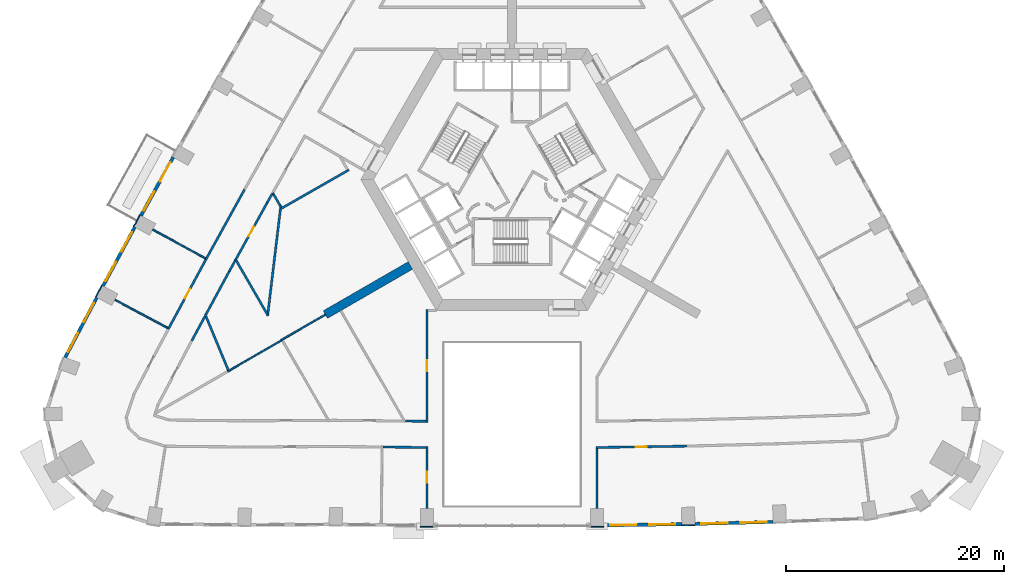
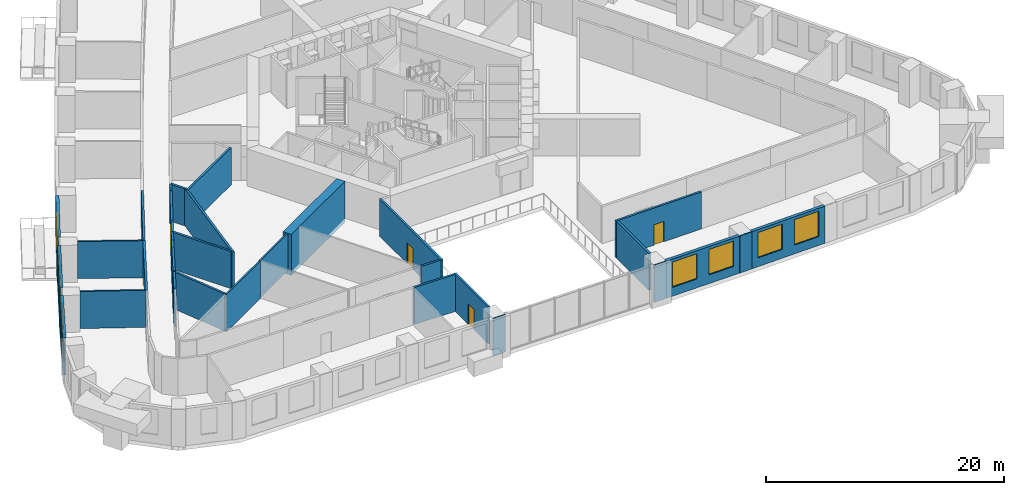
# One storey, part 5 of 16: 33 walls, 9 windows, 6 doors, 15 openings.
"""IFC4 building model written with IfcOpenShell, lengths in metres."""

from ifc_helpers import new_model, si_unit, direction, frame, frame_2d, origin, place, context, subcontext, project, spatial, rectangle, extrude, material, layer, layer_set, type_object, element, fill, save


model = new_model("IFC4")

# Units and contexts
model_context = context("Model", 3, precision=1e-05, world=origin(), true_north=direction((0.0, 1.0)))
body_context = subcontext(model_context, "Body", "Model", "MODEL_VIEW")
ifc_project = project(units=[si_unit("LENGTHUNIT", "METRE"), si_unit("AREAUNIT", "SQUARE_METRE"), si_unit("VOLUMEUNIT", "CUBIC_METRE"), si_unit("PLANEANGLEUNIT", "RADIAN"), si_unit("MASSUNIT", "GRAM", prefix="KILO")], contexts=[model_context])

# Site, building, storey
site_placement = place(None, origin())
site = spatial("IfcSite", under=ifc_project, at=site_placement, CompositionType="ELEMENT")
building_placement = place(site_placement, origin())
building = spatial("IfcBuilding", under=site, at=building_placement, Name="Entoto Arch Interchange Tower", CompositionType="ELEMENT")
storey_placement = place(building_placement, frame((0.0, 0.0, 68.60009765625)))
storey = spatial("IfcBuildingStorey", under=building, at=storey_placement, Name="L14", CompositionType="ELEMENT", Elevation=68.60009765625)

# Walls
ifc_material_1 = material(Name="Concrete C60/75", Category="concrete")
ifc_layer_1 = layer(ifc_material_1, 0.800048828125)
ifc_layer_set_1 = layer_set([ifc_layer_1], Name="Concrete C60/75")
wall_type_1 = type_object("IfcWallType", Name="Buttress wall 800 C60/75", PredefinedType="SHEAR", material=ifc_layer_set_1)
wall_1_placement = place(storey_placement, frame((-9.31005859375, -5.375, -0.400146484375), z_axis=(0.0, 0.0, 1.0), x_axis=(-0.866017533419, -0.500013631625, 0.0)))
element("IfcWall", 1, at=wall_1_placement, inside=storey, type_object=wall_type_1, Name="Buttress wall SW L14", PredefinedType="SHEAR", context=body_context, shape_type="SweptSolid", body=[
    extrude(rectangle(XDim=8.999755859375, YDim=0.800048828125, at=frame_2d((4.5, 0.0))), origin(), (0.0, 0.0, 1.0), 4.199951171875),
])
ifc_material_2 = material(Name="Gypsum board partition on steel studs", Category="steel")
ifc_layer_2 = layer(ifc_material_2, 0.14990234375)
ifc_layer_set_2 = layer_set([ifc_layer_2], Name="Gypsum board partition on steel studs")
wall_type_2 = type_object("IfcWallType", Name="PARTITION 150", PredefinedType="PARTITIONING", material=ifc_layer_set_2)
wall_2_placement = place(storey_placement, frame((-17.10302734375, -9.8779296875, 0.0), z_axis=(0.0, 0.0, 1.0), x_axis=(-0.866013358989, -0.500020861617, 0.0)))
element("IfcWall", 2, at=wall_2_placement, inside=storey, type_object=wall_type_2, Name="wall:L14:p129", PredefinedType="PARTITIONING", context=body_context, shape_type="SweptSolid", body=[
    extrude(rectangle(XDim=4.674072265625, YDim=0.14990234375, at=frame_2d((2.3369140625, 0.0))), origin(), (0.0, 0.0, 1.0), 3.7998046875),
])
wall_3_placement = place(storey_placement, frame((-21.135009765625, -12.242919921875, 0.0), z_axis=(0.0, 0.0, 1.0), x_axis=(-0.866083439347, -0.499899465982, 0.0)))
element("IfcWall", 3, at=wall_3_placement, inside=storey, type_object=wall_type_2, Name="wall:L14:p131", PredefinedType="PARTITIONING", context=body_context, shape_type="SweptSolid", body=[
    extrude(rectangle(XDim=5.691162109375, YDim=0.14990234375, at=frame_2d((2.845703125, 0.0))), origin(), (0.0, 0.0, 1.0), 3.7998046875),
])
wall_4_placement = place(storey_placement, frame((-28.111083984375, -4.717041015625, 0.0), z_axis=(0.0, 0.0, 1.0), x_axis=(-0.877558297547, 0.479469951515, 0.0)))
element("IfcWall", 4, at=wall_4_placement, inside=storey, type_object=wall_type_2, Name="wall:L14:p147", PredefinedType="PARTITIONING", context=body_context, shape_type="SweptSolid", body=[
    extrude(rectangle(XDim=5.48095703125, YDim=0.14990234375, at=frame_2d((2.740478515625, 0.0))), origin(), (0.0, 0.0, 1.0), 3.7998046875),
])
wall_5_placement = place(storey_placement, frame((-31.56103515625, -11.10302734375, 0.0), z_axis=(0.0, 0.0, 1.0), x_axis=(-0.882056805494, 0.47114306944, 0.0)))
element("IfcWall", 5, at=wall_5_placement, inside=storey, type_object=wall_type_2, Name="wall:L14:p148", PredefinedType="PARTITIONING", context=body_context, shape_type="SweptSolid", body=[
    extrude(rectangle(XDim=5.48046875, YDim=0.14990234375, at=frame_2d((2.740234375, 0.0))), origin(), (0.0, 0.0, 1.0), 3.7998046875),
])
ifc_layer_3 = layer(ifc_material_2, 0.199951171875)
ifc_layer_set_3 = layer_set([ifc_layer_3], Name="Gypsum board partition on steel studs")
wall_type_3 = type_object("IfcWallType", Name="PARTITION 200", PredefinedType="PARTITIONING", material=ifc_layer_set_3)
wall_6_placement = place(storey_placement, frame((-25.37109375, -4.927001953125, 0.0), z_axis=(0.0, 0.0, 1.0), x_axis=(-0.483899488004, -0.875123582993, 0.0)))
element("IfcWall", 6, at=wall_6_placement, inside=storey, type_object=wall_type_3, Name="wall:L14:p030", PredefinedType="PARTITIONING", context=body_context, shape_type="SweptSolid", body=[
    extrude(rectangle(XDim=1.130126953125, YDim=0.199951171875, at=frame_2d((0.56494140625, 0.0))), origin(), (0.0, 0.0, 1.0), 3.7998046875),
])
wall_7_placement = place(storey_placement, frame((-25.91796875, -5.916015625, 0.0), z_axis=(0.0, 0.0, 1.0), x_axis=(-0.4752384902, -0.879857021016, 0.0)))
element("IfcWall", 7, at=wall_7_placement, inside=storey, type_object=wall_type_3, Name="wall:L14:p031", PredefinedType="PARTITIONING", context=body_context, shape_type="SweptSolid", body=[
    extrude(rectangle(XDim=4.473388671875, YDim=0.199951171875, at=frame_2d((2.23681640625, 0.0))), origin(), (0.0, 0.0, 1.0), 3.7998046875),
])
wall_8_placement = place(storey_placement, frame((-9.77587890625, -19.637939453125, 0.0), z_axis=(0.0, 0.0, 1.0), x_axis=(0.999937374473, -0.011191386544, 0.0)))
element("IfcWall", 8, at=wall_8_placement, inside=storey, type_object=wall_type_3, Name="wall:L14:p032", PredefinedType="PARTITIONING", context=body_context, shape_type="SweptSolid", body=[
    extrude(rectangle(XDim=1.8759765625, YDim=0.199951171875, at=frame_2d((0.93798828125, 0.0))), origin(), (0.0, 0.0, 1.0), 3.7998046875),
])
wall_9_placement = place(storey_placement, frame((-21.97900390625, 1.196044921875, 0.0), z_axis=(0.0, 0.0, 1.0), x_axis=(-0.491617674369, -0.870811151886, 0.0)))
element("IfcWall", 9, at=wall_9_placement, inside=storey, type_object=wall_type_3, Name="wall:L14:p033", PredefinedType="PARTITIONING", context=body_context, shape_type="SweptSolid", body=[
    extrude(rectangle(XDim=0.89697265625, YDim=0.199951171875, at=frame_2d((0.448486328125, 0.0))), origin(), (0.0, 0.0, 1.0), 3.7998046875),
])

# Wall, opening, door
wall_10_placement = place(storey_placement, frame((-22.419921875, 0.4150390625, 0.0), z_axis=(0.0, 0.0, 1.0), x_axis=(-0.483559496818, -0.875311494861, 0.0)))
wall_10 = element("IfcWall", 10, at=wall_10_placement, inside=storey, type_object=wall_type_3, Name="wall:L14:p034", PredefinedType="PARTITIONING", context=body_context, shape_type="SweptSolid", body=[
    extrude(rectangle(XDim=6.10302734375, YDim=0.199951171875, at=frame_2d((3.051513671875, 0.0))), origin(), (0.0, 0.0, 1.0), 3.7998046875),
])
opening_1_placement = place(wall_10_placement, frame((2.552001953125, 0.0, 0.0)))
opening_1 = element("IfcOpeningElement", 11, at=opening_1_placement, cuts=wall_10, Name="Opening L14-D23", PredefinedType="OPENING", context=body_context, shape_type="SweptSolid", body=[
    extrude(rectangle(XDim=1.0, YDim=2.10009765625, at=frame_2d((0.5, 1.050048828125))), frame((0.0, 0.10986328125, 0.0), z_axis=(0.0, -1.0, 0.0), x_axis=(1.0, 0.0, 0.0)), (0.0, 0.0, 1.0), 0.219970703125),
])
ifc_material_3 = material(Name="Timber door leaf in Steel S235 frame", Category="steel")
door_type_1 = type_object("IfcDoorType", Name="DOOR DS-10 1000x2100", OperationType="SINGLE_SWING_LEFT", PredefinedType="DOOR", material=ifc_material_3)
door_1_placement = place(opening_1_placement, origin())
door_1 = element("IfcDoor", 12, at=door_1_placement, inside=storey, type_object=door_type_1, Name="door:L14:23", OperationType="SINGLE_SWING_LEFT", OverallHeight=2.10009765625, OverallWidth=1.0, PredefinedType="DOOR", context=body_context, shape_type="SweptSolid", body=[
    extrude(rectangle(XDim=1.0, YDim=2.10009765625, at=frame_2d((0.5, 1.050048828125))), frame((0.0, 0.02490234375, 0.0), z_axis=(0.0, -1.0, 0.0), x_axis=(1.0, 0.0, 0.0)), (0.0, 0.0, 1.0), 0.050048828125),
])
fill(opening_1, door_1)

# Wall
wall_11_placement = place(storey_placement, frame((-28.138916015625, -10.028076171875, 0.0), z_axis=(0.0, 0.0, 1.0), x_axis=(-0.475287687013, -0.879830446491, 0.0)))
element("IfcWall", 13, at=wall_11_placement, inside=storey, type_object=wall_type_3, Name="wall:L14:p037", PredefinedType="PARTITIONING", context=body_context, shape_type="SweptSolid", body=[
    extrude(rectangle(XDim=2.560546875, YDim=0.199951171875, at=frame_2d((1.2802734375, 0.0))), origin(), (0.0, 0.0, 1.0), 3.7998046875),
])

# Wall, opening, door
wall_12_placement = place(storey_placement, frame((16.01806640625, -21.93310546875, 0.0), z_axis=(0.0, 0.0, 1.0), x_axis=(-0.999879942341, -0.015495189738, 0.0)))
wall_12 = element("IfcWall", 14, at=wall_12_placement, inside=storey, type_object=wall_type_3, Name="wall:L14:p045", PredefinedType="PARTITIONING", context=body_context, shape_type="SweptSolid", body=[
    extrude(rectangle(XDim=8.319091796875, YDim=0.199951171875, at=frame_2d((4.15966796875, 0.0))), origin(), (0.0, 0.0, 1.0), 3.7998046875),
])
opening_2_placement = place(wall_12_placement, frame((3.659912109375, 0.0, 0.0)))
opening_2 = element("IfcOpeningElement", 15, at=opening_2_placement, cuts=wall_12, Name="Opening L14-D01", PredefinedType="OPENING", context=body_context, shape_type="SweptSolid", body=[
    extrude(rectangle(XDim=1.0, YDim=2.10009765625, at=frame_2d((0.5, 1.050048828125))), frame((0.0, 0.10986328125, 0.0), z_axis=(0.0, -1.0, 0.0), x_axis=(1.0, 0.0, 0.0)), (0.0, 0.0, 1.0), 0.219970703125),
])
door_2_placement = place(opening_2_placement, origin())
door_2 = element("IfcDoor", 16, at=door_2_placement, inside=storey, type_object=door_type_1, Name="door:L14:01", OperationType="SINGLE_SWING_LEFT", OverallHeight=2.10009765625, OverallWidth=1.0, PredefinedType="DOOR", context=body_context, shape_type="SweptSolid", body=[
    extrude(rectangle(XDim=1.0, YDim=2.10009765625, at=frame_2d((0.5, 1.050048828125))), frame((0.0, 0.02490234375, 0.0), z_axis=(0.0, -1.0, 0.0), x_axis=(1.0, 0.0, 0.0)), (0.0, 0.0, 1.0), 0.050048828125),
])
fill(opening_2, door_2)

# Wall
wall_13_placement = place(storey_placement, frame((-28.06005859375, -4.8310546875, 0.0), z_axis=(0.0, 0.0, 1.0), x_axis=(0.483631054848, 0.875271959328, 0.0)))
element("IfcWall", 17, at=wall_13_placement, inside=storey, type_object=wall_type_3, Name="wall:L14:p071", PredefinedType="PARTITIONING", context=body_context, shape_type="SweptSolid", body=[
    extrude(rectangle(XDim=7.330322265625, YDim=0.199951171875, at=frame_2d((3.6650390625, 0.0))), origin(), (0.0, 0.0, 1.0), 3.7998046875),
])

# Wall, opening, door
wall_14_placement = place(storey_placement, frame((-31.509033203125, -11.216064453125, 0.0), z_axis=(0.0, 0.0, 1.0), x_axis=(0.475367159168, 0.879787510701, 0.0)))
wall_14 = element("IfcWall", 18, at=wall_14_placement, inside=storey, type_object=wall_type_3, Name="wall:L14:p073", PredefinedType="PARTITIONING", context=body_context, shape_type="SweptSolid", body=[
    extrude(rectangle(XDim=7.25732421875, YDim=0.199951171875, at=frame_2d((3.628662109375, 0.0))), origin(), (0.0, 0.0, 1.0), 3.7998046875),
])
opening_3_placement = place(wall_14_placement, frame((3.202880859375, 0.0, 0.0)))
opening_3 = element("IfcOpeningElement", 19, at=opening_3_placement, cuts=wall_14, Name="Opening L14-D15", PredefinedType="OPENING", context=body_context, shape_type="SweptSolid", body=[
    extrude(rectangle(XDim=1.0, YDim=2.10009765625, at=frame_2d((0.5, 1.050048828125))), frame((0.0, 0.10986328125, 0.0), z_axis=(0.0, -1.0, 0.0), x_axis=(1.0, 0.0, 0.0)), (0.0, 0.0, 1.0), 0.219970703125),
])
door_3_placement = place(opening_3_placement, origin())
door_3 = element("IfcDoor", 20, at=door_3_placement, inside=storey, type_object=door_type_1, Name="door:L14:15", OperationType="SINGLE_SWING_RIGHT", OverallHeight=2.10009765625, OverallWidth=1.0, PredefinedType="DOOR", context=body_context, shape_type="SweptSolid", body=[
    extrude(rectangle(XDim=1.0, YDim=2.10009765625, at=frame_2d((0.5, 1.050048828125))), frame((0.0, 0.02490234375, 0.0), z_axis=(0.0, -1.0, 0.0), x_axis=(1.0, 0.0, 0.0)), (0.0, 0.0, 1.0), 0.050048828125),
])
fill(opening_3, door_3)

# Wall
wall_15_placement = place(storey_placement, frame((-7.89990234375, -22.05908203125, 0.0), z_axis=(0.0, 0.0, 1.0), x_axis=(-0.999940210022, 0.010935098606, 0.0)))
element("IfcWall", 21, at=wall_15_placement, inside=storey, type_object=wall_type_3, Name="wall:L14:p082", PredefinedType="PARTITIONING", context=body_context, shape_type="SweptSolid", body=[
    extrude(rectangle(XDim=3.929443359375, YDim=0.199951171875, at=frame_2d((1.96484375, 0.0))), origin(), (0.0, 0.0, 1.0), 3.7998046875),
])

# Wall, opening, door
wall_16_placement = place(storey_placement, frame((-7.800048828125, -19.760009765625, 0.0), z_axis=(0.0, 0.0, 1.0), x_axis=(0.0, 1.0, 0.0)))
wall_16 = element("IfcWall", 22, at=wall_16_placement, inside=storey, type_object=wall_type_3, Name="wall:L14:p117", PredefinedType="PARTITIONING", context=body_context, shape_type="SweptSolid", body=[
    extrude(rectangle(XDim=10.361083984375, YDim=0.199951171875, at=frame_2d((5.1806640625, 0.0))), origin(), (0.0, 0.0, 1.0), 3.7998046875),
])
opening_4_placement = place(wall_16_placement, frame((4.680908203125, 0.0, 0.0)))
opening_4 = element("IfcOpeningElement", 23, at=opening_4_placement, cuts=wall_16, Name="Opening L14-D22", PredefinedType="OPENING", context=body_context, shape_type="SweptSolid", body=[
    extrude(rectangle(XDim=1.0, YDim=2.10009765625, at=frame_2d((0.5, 1.050048828125))), frame((0.0, 0.10986328125, 0.0), z_axis=(0.0, -1.0, 0.0), x_axis=(1.0, 0.0, 0.0)), (0.0, 0.0, 1.0), 0.219970703125),
])
door_4_placement = place(opening_4_placement, origin())
door_4 = element("IfcDoor", 24, at=door_4_placement, inside=storey, type_object=door_type_1, Name="door:L14:22", OperationType="SINGLE_SWING_LEFT", OverallHeight=2.10009765625, OverallWidth=1.0, PredefinedType="DOOR", context=body_context, shape_type="SweptSolid", body=[
    extrude(rectangle(XDim=1.0, YDim=2.10009765625, at=frame_2d((0.5, 1.050048828125))), frame((0.0, 0.02490234375, 0.0), z_axis=(0.0, -1.0, 0.0), x_axis=(1.0, 0.0, 0.0)), (0.0, 0.0, 1.0), 0.050048828125),
])
fill(opening_4, door_4)

# Wall
wall_17_placement = place(storey_placement, frame((7.800048828125, -22.159912109375, 0.0), z_axis=(0.0, 0.0, 1.0), x_axis=(0.0, -1.0, 0.0)))
element("IfcWall", 25, at=wall_17_placement, inside=storey, type_object=wall_type_3, Name="wall:L14:p119", PredefinedType="PARTITIONING", context=body_context, shape_type="SweptSolid", body=[
    extrude(rectangle(XDim=5.481201171875, YDim=0.199951171875, at=frame_2d((2.74072265625, 0.0))), origin(), (0.0, 0.0, 1.0), 3.7998046875),
])

# Wall, opening, door
wall_18_placement = place(storey_placement, frame((-7.800048828125, -27.64111328125, 0.0), z_axis=(0.0, 0.0, 1.0), x_axis=(0.0, 1.0, 0.0)))
wall_18 = element("IfcWall", 26, at=wall_18_placement, inside=storey, type_object=wall_type_3, Name="wall:L14:p120", PredefinedType="PARTITIONING", context=body_context, shape_type="SweptSolid", body=[
    extrude(rectangle(XDim=5.68115234375, YDim=0.199951171875, at=frame_2d((2.840576171875, 0.0))), origin(), (0.0, 0.0, 1.0), 3.7998046875),
])
opening_5_placement = place(wall_18_placement, frame((2.340087890625, 0.0, 0.0)))
opening_5 = element("IfcOpeningElement", 27, at=opening_5_placement, cuts=wall_18, Name="Opening L14-D18", PredefinedType="OPENING", context=body_context, shape_type="SweptSolid", body=[
    extrude(rectangle(XDim=1.0, YDim=2.10009765625, at=frame_2d((0.5, 1.050048828125))), frame((0.0, 0.10986328125, 0.0), z_axis=(0.0, -1.0, 0.0), x_axis=(1.0, 0.0, 0.0)), (0.0, 0.0, 1.0), 0.219970703125),
])
door_5_placement = place(opening_5_placement, origin())
door_5 = element("IfcDoor", 28, at=door_5_placement, inside=storey, type_object=door_type_1, Name="door:L14:18", OperationType="SINGLE_SWING_LEFT", OverallHeight=2.10009765625, OverallWidth=1.0, PredefinedType="DOOR", context=body_context, shape_type="SweptSolid", body=[
    extrude(rectangle(XDim=1.0, YDim=2.10009765625, at=frame_2d((0.5, 1.050048828125))), frame((0.0, 0.02490234375, 0.0), z_axis=(0.0, -1.0, 0.0), x_axis=(1.0, 0.0, 0.0)), (0.0, 0.0, 1.0), 0.050048828125),
])
fill(opening_5, door_5)

# Walls
wall_19_placement = place(storey_placement, frame((-14.946044921875, 3.386962890625, 0.0), z_axis=(0.0, 0.0, 1.0), x_axis=(-0.868556003823, -0.4955910292, 0.0)))
element("IfcWall", 29, at=wall_19_placement, inside=storey, type_object=wall_type_3, Name="wall:L14:p124", PredefinedType="PARTITIONING", context=body_context, shape_type="SweptSolid", body=[
    extrude(rectangle(XDim=7.19921875, YDim=0.199951171875, at=frame_2d((3.599609375, 0.0))), origin(), (0.0, 0.0, 1.0), 3.7998046875),
])
wall_20_placement = place(storey_placement, frame((-21.2490234375, 0.10498046875, 0.0), z_axis=(0.0, 0.0, 1.0), x_axis=(-0.500442009317, 0.865770059144, 0.0)))
element("IfcWall", 30, at=wall_20_placement, inside=storey, type_object=wall_type_3, Name="wall:L14:p125", PredefinedType="PARTITIONING", context=body_context, shape_type="SweptSolid", body=[
    extrude(rectangle(XDim=1.360595703125, YDim=0.199951171875, at=frame_2d((0.68017578125, 0.0))), origin(), (0.0, 0.0, 1.0), 3.7998046875),
])
wall_21_placement = place(storey_placement, frame((-25.322998046875, -4.840087890625, 0.0), z_axis=(0.0, 0.0, 1.0), x_axis=(0.500070797646, -0.865984524886, 0.0)))
element("IfcWall", 31, at=wall_21_placement, inside=storey, type_object=wall_type_3, Name="wall:L14:p126", PredefinedType="PARTITIONING", context=body_context, shape_type="SweptSolid", body=[
    extrude(rectangle(XDim=5.763427734375, YDim=0.199951171875, at=frame_2d((2.8818359375, 0.0))), origin(), (0.0, 0.0, 1.0), 3.7998046875),
])
wall_22_placement = place(storey_placement, frame((-22.403076171875, -10.01708984375, 0.0), z_axis=(0.0, 0.0, 1.0), x_axis=(0.119143334217, 0.992877064853, 0.0)))
element("IfcWall", 32, at=wall_22_placement, inside=storey, type_object=wall_type_3, Name="wall:L14:p127", PredefinedType="PARTITIONING", context=body_context, shape_type="SweptSolid", body=[
    extrude(rectangle(XDim=10.206787109375, YDim=0.199951171875, at=frame_2d((5.103515625, 0.0))), origin(), (0.0, 0.0, 1.0), 3.7998046875),
])
wall_23_placement = place(storey_placement, frame((-26.014892578125, -14.946044921875, 0.0), z_axis=(0.0, 0.0, 1.0), x_axis=(-0.383189005855, 0.923669955012, 0.0)))
element("IfcWall", 33, at=wall_23_placement, inside=storey, type_object=wall_type_3, Name="wall:L14:p130", PredefinedType="PARTITIONING", context=body_context, shape_type="SweptSolid", body=[
    extrude(rectangle(XDim=5.51953125, YDim=0.199951171875, at=frame_2d((2.759765625, 0.0))), origin(), (0.0, 0.0, 1.0), 3.7998046875),
])

# Wall, openings, windows
ifc_material_4 = material(Name="Welded tuff (ignimbrite) cladding, warm buff", Category="masonry")
ifc_layer_4 = layer(ifc_material_4, 0.300048828125)
ifc_layer_set_4 = layer_set([ifc_layer_4], Name="Welded tuff (ignimbrite) cladding, warm buff")
wall_type_4 = type_object("IfcWallType", Name="STONE INFILL WALL 300", PredefinedType="STANDARD", material=ifc_layer_set_4)
wall_24_placement = place(storey_placement, frame((8.39794921875, -29.201904296875, 0.0), z_axis=(0.0, 0.0, 1.0), x_axis=(0.99988053916, 0.015456629942, 0.0)))
wall_24 = element("IfcWall", 34, at=wall_24_placement, inside=storey, type_object=wall_type_4, Name="Facade wall S-05 L14", PredefinedType="STANDARD", context=body_context, shape_type="SweptSolid", body=[
    extrude(rectangle(XDim=7.171142578125, YDim=0.300048828125, at=frame_2d((3.58544921875, 0.0))), origin(), (0.0, 0.0, 1.0), 3.7998046875),
])
opening_6_placement = place(wall_24_placement, frame((0.593017578125, 0.0, 0.89990234375)))
opening_6 = element("IfcOpeningElement", 35, at=opening_6_placement, cuts=wall_24, Name="Opening WO-A", PredefinedType="OPENING", context=body_context, shape_type="SweptSolid", body=[
    extrude(rectangle(XDim=2.39990234375, YDim=2.60009765625, at=frame_2d((1.199951171875, 1.300048828125))), frame((0.0, 0.16015625, 0.0), z_axis=(0.0, -1.0, 0.0), x_axis=(1.0, 0.0, 0.0)), (0.0, 0.0, 1.0), 0.320068359375),
])
opening_7_placement = place(wall_24_placement, frame((4.177978515625, 0.0, 0.89990234375)))
opening_7 = element("IfcOpeningElement", 36, at=opening_7_placement, cuts=wall_24, Name="Opening WO-A", PredefinedType="OPENING", context=body_context, shape_type="SweptSolid", body=[
    extrude(rectangle(XDim=2.39990234375, YDim=2.60009765625, at=frame_2d((1.199951171875, 1.300048828125))), frame((0.0, 0.16015625, 0.0), z_axis=(0.0, -1.0, 0.0), x_axis=(1.0, 0.0, 0.0)), (0.0, 0.0, 1.0), 0.320068359375),
])
ifc_material_5 = material(Name="Clear glass, low-e double glazed", Category="glass")
window_type_1 = type_object("IfcWindowType", Name="WINDOW WO-A 2400x2600", PartitioningType="DOUBLE_PANEL_VERTICAL", PredefinedType="WINDOW", material=ifc_material_5)
window_1_placement = place(opening_6_placement, origin())
window_1 = element("IfcWindow", 37, at=window_1_placement, inside=storey, type_object=window_type_1, Name="Window WO-A S-05 L14", OverallHeight=2.60009765625, OverallWidth=2.39990234375, PartitioningType="SINGLE_PANEL", PredefinedType="WINDOW", context=body_context, shape_type="SweptSolid", body=[
    extrude(rectangle(XDim=2.39990234375, YDim=2.60009765625, at=frame_2d((1.199951171875, 1.300048828125))), frame((0.0, 0.030029296875, 0.0), z_axis=(0.0, -1.0, 0.0), x_axis=(1.0, 0.0, 0.0)), (0.0, 0.0, 1.0), 0.06005859375),
])
fill(opening_6, window_1)
window_2_placement = place(opening_7_placement, origin())
window_2 = element("IfcWindow", 38, at=window_2_placement, inside=storey, type_object=window_type_1, Name="Window WO-A S-05 L14", OverallHeight=2.60009765625, OverallWidth=2.39990234375, PartitioningType="SINGLE_PANEL", PredefinedType="WINDOW", context=body_context, shape_type="SweptSolid", body=[
    extrude(rectangle(XDim=2.39990234375, YDim=2.60009765625, at=frame_2d((1.199951171875, 1.300048828125))), frame((0.0, 0.030029296875, 0.0), z_axis=(0.0, -1.0, 0.0), x_axis=(1.0, 0.0, 0.0)), (0.0, 0.0, 1.0), 0.06005859375),
])
fill(opening_7, window_2)

wall_25_placement = place(storey_placement, frame((16.764892578125, -29.06591796875, 0.0), z_axis=(0.0, 0.0, 1.0), x_axis=(0.999660132619, 0.026069508106, 0.0)))
wall_25 = element("IfcWall", 39, at=wall_25_placement, inside=storey, type_object=wall_type_4, Name="Facade wall S-06 L14", PredefinedType="STANDARD", context=body_context, shape_type="SweptSolid", body=[
    extrude(rectangle(XDim=7.173583984375, YDim=0.300048828125, at=frame_2d((3.5869140625, 0.0))), origin(), (0.0, 0.0, 1.0), 3.7998046875),
])
opening_8_placement = place(wall_25_placement, frame((0.593017578125, 0.0, 0.89990234375)))
opening_8 = element("IfcOpeningElement", 40, at=opening_8_placement, cuts=wall_25, Name="Opening WO-A", PredefinedType="OPENING", context=body_context, shape_type="SweptSolid", body=[
    extrude(rectangle(XDim=2.39990234375, YDim=2.60009765625, at=frame_2d((1.199951171875, 1.300048828125))), frame((0.0, 0.16015625, 0.0), z_axis=(0.0, -1.0, 0.0), x_axis=(1.0, 0.0, 0.0)), (0.0, 0.0, 1.0), 0.320068359375),
])
opening_9_placement = place(wall_25_placement, frame((4.179931640625, 0.0, 0.89990234375)))
opening_9 = element("IfcOpeningElement", 41, at=opening_9_placement, cuts=wall_25, Name="Opening WO-A", PredefinedType="OPENING", context=body_context, shape_type="SweptSolid", body=[
    extrude(rectangle(XDim=2.39990234375, YDim=2.60009765625, at=frame_2d((1.199951171875, 1.300048828125))), frame((0.0, 0.16015625, 0.0), z_axis=(0.0, -1.0, 0.0), x_axis=(1.0, 0.0, 0.0)), (0.0, 0.0, 1.0), 0.320068359375),
])
window_3_placement = place(opening_8_placement, origin())
window_3 = element("IfcWindow", 42, at=window_3_placement, inside=storey, type_object=window_type_1, Name="Window WO-A S-06 L14", OverallHeight=2.60009765625, OverallWidth=2.39990234375, PartitioningType="SINGLE_PANEL", PredefinedType="WINDOW", context=body_context, shape_type="SweptSolid", body=[
    extrude(rectangle(XDim=2.39990234375, YDim=2.60009765625, at=frame_2d((1.199951171875, 1.300048828125))), frame((0.0, 0.030029296875, 0.0), z_axis=(0.0, -1.0, 0.0), x_axis=(1.0, 0.0, 0.0)), (0.0, 0.0, 1.0), 0.06005859375),
])
fill(opening_8, window_3)
window_4_placement = place(opening_9_placement, origin())
window_4 = element("IfcWindow", 43, at=window_4_placement, inside=storey, type_object=window_type_1, Name="Window WO-A S-06 L14", OverallHeight=2.60009765625, OverallWidth=2.39990234375, PartitioningType="SINGLE_PANEL", PredefinedType="WINDOW", context=body_context, shape_type="SweptSolid", body=[
    extrude(rectangle(XDim=2.39990234375, YDim=2.60009765625, at=frame_2d((1.199951171875, 1.300048828125))), frame((0.0, 0.030029296875, 0.0), z_axis=(0.0, -1.0, 0.0), x_axis=(1.0, 0.0, 0.0)), (0.0, 0.0, 1.0), 0.06005859375),
])
fill(opening_9, window_4)

# Wall, openings, door, window
wall_26_placement = place(storey_placement, frame((-31.047119140625, 4.549072265625, 0.0), z_axis=(0.0, 0.0, 1.0), x_axis=(-0.483587271547, -0.875296150339, 0.0)))
wall_26 = element("IfcWall", 44, at=wall_26_placement, inside=storey, type_object=wall_type_4, Name="Facade wall NW-07 L14", PredefinedType="STANDARD", context=body_context, shape_type="SweptSolid", body=[
    extrude(rectangle(XDim=6.125, YDim=0.300048828125, at=frame_2d((3.0625, 0.0))), origin(), (0.0, 0.0, 1.0), 3.7998046875),
])
opening_10_placement = place(wall_26_placement, frame((0.531005859375, 0.0, 0.0)))
opening_10 = element("IfcOpeningElement", 45, at=opening_10_placement, cuts=wall_26, Name="Opening DB-NW-07-L14", PredefinedType="OPENING", context=body_context, shape_type="SweptSolid", body=[
    extrude(rectangle(XDim=2.0, YDim=2.39990234375, at=frame_2d((1.0, 1.199951171875))), frame((0.0, 0.16015625, 0.0), z_axis=(0.0, -1.0, 0.0), x_axis=(1.0, 0.0, 0.0)), (0.0, 0.0, 1.0), 0.320068359375),
])
opening_11_placement = place(wall_26_placement, frame((3.593994140625, 0.0, 0.89990234375)))
opening_11 = element("IfcOpeningElement", 46, at=opening_11_placement, cuts=wall_26, Name="Opening WO-C", PredefinedType="OPENING", context=body_context, shape_type="SweptSolid", body=[
    extrude(rectangle(XDim=2.0, YDim=2.60009765625, at=frame_2d((1.0, 1.300048828125))), frame((0.0, 0.16015625, 0.0), z_axis=(0.0, -1.0, 0.0), x_axis=(1.0, 0.0, 0.0)), (0.0, 0.0, 1.0), 0.320068359375),
])
ifc_material_6 = material(Name="Aluminium and clear glass, anodised", Category="aluminium")
door_type_2 = type_object("IfcDoorType", Name="BALCONY DOOR DB 2000x2400", OperationType="SLIDING_TO_LEFT", PredefinedType="DOOR", material=ifc_material_6)
door_6_placement = place(opening_10_placement, origin())
door_6 = element("IfcDoor", 47, at=door_6_placement, inside=storey, type_object=door_type_2, Name="Balcony door NW-07 L14", OperationType="SLIDING_TO_LEFT", OverallHeight=2.39990234375, OverallWidth=2.0, PredefinedType="DOOR", context=body_context, shape_type="SweptSolid", body=[
    extrude(rectangle(XDim=2.0, YDim=2.39990234375, at=frame_2d((1.0, 1.199951171875))), frame((0.0, 0.02490234375, 0.0), z_axis=(0.0, -1.0, 0.0), x_axis=(1.0, 0.0, 0.0)), (0.0, 0.0, 1.0), 0.050048828125),
])
fill(opening_10, door_6)
window_type_2 = type_object("IfcWindowType", Name="WINDOW WO-C 2000x2600", PartitioningType="DOUBLE_PANEL_VERTICAL", PredefinedType="WINDOW", material=ifc_material_5)
window_5_placement = place(opening_11_placement, origin())
window_5 = element("IfcWindow", 48, at=window_5_placement, inside=storey, type_object=window_type_2, Name="Window WO-C NW-07 L14", OverallHeight=2.60009765625, OverallWidth=2.0, PartitioningType="SINGLE_PANEL", PredefinedType="WINDOW", context=body_context, shape_type="SweptSolid", body=[
    extrude(rectangle(XDim=2.0, YDim=2.60009765625, at=frame_2d((1.0, 1.300048828125))), frame((0.0, 0.030029296875, 0.0), z_axis=(0.0, -1.0, 0.0), x_axis=(1.0, 0.0, 0.0)), (0.0, 0.0, 1.0), 0.06005859375),
])
fill(opening_11, window_5)

# Wall, openings, windows
wall_27_placement = place(storey_placement, frame((-34.5830078125, -1.864013671875, 0.0), z_axis=(0.0, 0.0, 1.0), x_axis=(-0.475413659872, -0.879762383833, 0.0)))
wall_27 = element("IfcWall", 49, at=wall_27_placement, inside=storey, type_object=wall_type_4, Name="Facade wall NW-08 L14", PredefinedType="STANDARD", context=body_context, shape_type="SweptSolid", body=[
    extrude(rectangle(XDim=6.12548828125, YDim=0.300048828125, at=frame_2d((3.062744140625, 0.0))), origin(), (0.0, 0.0, 1.0), 3.7998046875),
])
opening_12_placement = place(wall_27_placement, frame((0.531005859375, 0.0, 0.89990234375)))
opening_12 = element("IfcOpeningElement", 50, at=opening_12_placement, cuts=wall_27, Name="Opening WO-C", PredefinedType="OPENING", context=body_context, shape_type="SweptSolid", body=[
    extrude(rectangle(XDim=2.0, YDim=2.60009765625, at=frame_2d((1.0, 1.300048828125))), frame((0.0, 0.16015625, 0.0), z_axis=(0.0, -1.0, 0.0), x_axis=(1.0, 0.0, 0.0)), (0.0, 0.0, 1.0), 0.320068359375),
])
opening_13_placement = place(wall_27_placement, frame((3.593994140625, 0.0, 0.89990234375)))
opening_13 = element("IfcOpeningElement", 51, at=opening_13_placement, cuts=wall_27, Name="Opening WO-C", PredefinedType="OPENING", context=body_context, shape_type="SweptSolid", body=[
    extrude(rectangle(XDim=2.0, YDim=2.60009765625, at=frame_2d((1.0, 1.300048828125))), frame((0.0, 0.16015625, 0.0), z_axis=(0.0, -1.0, 0.0), x_axis=(1.0, 0.0, 0.0)), (0.0, 0.0, 1.0), 0.320068359375),
])
window_6_placement = place(opening_12_placement, origin())
window_6 = element("IfcWindow", 52, at=window_6_placement, inside=storey, type_object=window_type_2, Name="Window WO-C NW-08 L14", OverallHeight=2.60009765625, OverallWidth=2.0, PartitioningType="SINGLE_PANEL", PredefinedType="WINDOW", context=body_context, shape_type="SweptSolid", body=[
    extrude(rectangle(XDim=2.0, YDim=2.60009765625, at=frame_2d((1.0, 1.300048828125))), frame((0.0, 0.030029296875, 0.0), z_axis=(0.0, -1.0, 0.0), x_axis=(1.0, 0.0, 0.0)), (0.0, 0.0, 1.0), 0.06005859375),
])
fill(opening_12, window_6)
window_7_placement = place(opening_13_placement, origin())
window_7 = element("IfcWindow", 53, at=window_7_placement, inside=storey, type_object=window_type_2, Name="Window WO-C NW-08 L14", OverallHeight=2.60009765625, OverallWidth=2.0, PartitioningType="SINGLE_PANEL", PredefinedType="WINDOW", context=body_context, shape_type="SweptSolid", body=[
    extrude(rectangle(XDim=2.0, YDim=2.60009765625, at=frame_2d((1.0, 1.300048828125))), frame((0.0, 0.030029296875, 0.0), z_axis=(0.0, -1.0, 0.0), x_axis=(1.0, 0.0, 0.0)), (0.0, 0.0, 1.0), 0.06005859375),
])
fill(opening_13, window_7)

wall_28_placement = place(storey_placement, frame((-38.05908203125, -8.31005859375, 0.0), z_axis=(0.0, 0.0, 1.0), x_axis=(-0.467041710902, -0.884235285587, 0.0)))
wall_28 = element("IfcWall", 54, at=wall_28_placement, inside=storey, type_object=wall_type_4, Name="Facade wall NW-09 L14", PredefinedType="STANDARD", context=body_context, shape_type="SweptSolid", body=[
    extrude(rectangle(XDim=6.219970703125, YDim=0.300048828125, at=frame_2d((3.10986328125, 0.0))), origin(), (0.0, 0.0, 1.0), 3.7998046875),
])
opening_14_placement = place(wall_28_placement, frame((0.554931640625, 0.0, 0.89990234375)))
opening_14 = element("IfcOpeningElement", 55, at=opening_14_placement, cuts=wall_28, Name="Opening WO-C", PredefinedType="OPENING", context=body_context, shape_type="SweptSolid", body=[
    extrude(rectangle(XDim=2.0, YDim=2.60009765625, at=frame_2d((1.0, 1.300048828125))), frame((0.0, 0.16015625, 0.0), z_axis=(0.0, -1.0, 0.0), x_axis=(1.0, 0.0, 0.0)), (0.0, 0.0, 1.0), 0.320068359375),
])
opening_15_placement = place(wall_28_placement, frame((3.6650390625, 0.0, 0.89990234375)))
opening_15 = element("IfcOpeningElement", 56, at=opening_15_placement, cuts=wall_28, Name="Opening WO-C", PredefinedType="OPENING", context=body_context, shape_type="SweptSolid", body=[
    extrude(rectangle(XDim=2.0, YDim=2.60009765625, at=frame_2d((1.0, 1.300048828125))), frame((0.0, 0.16015625, 0.0), z_axis=(0.0, -1.0, 0.0), x_axis=(1.0, 0.0, 0.0)), (0.0, 0.0, 1.0), 0.320068359375),
])
window_8_placement = place(opening_14_placement, origin())
window_8 = element("IfcWindow", 57, at=window_8_placement, inside=storey, type_object=window_type_2, Name="Window WO-C NW-09 L14", OverallHeight=2.60009765625, OverallWidth=2.0, PartitioningType="SINGLE_PANEL", PredefinedType="WINDOW", context=body_context, shape_type="SweptSolid", body=[
    extrude(rectangle(XDim=2.0, YDim=2.60009765625, at=frame_2d((1.0, 1.300048828125))), frame((0.0, 0.030029296875, 0.0), z_axis=(0.0, -1.0, 0.0), x_axis=(1.0, 0.0, 0.0)), (0.0, 0.0, 1.0), 0.06005859375),
])
fill(opening_14, window_8)
window_9_placement = place(opening_15_placement, origin())
window_9 = element("IfcWindow", 58, at=window_9_placement, inside=storey, type_object=window_type_2, Name="Window WO-C NW-09 L14", OverallHeight=2.60009765625, OverallWidth=2.0, PartitioningType="SINGLE_PANEL", PredefinedType="WINDOW", context=body_context, shape_type="SweptSolid", body=[
    extrude(rectangle(XDim=2.0, YDim=2.60009765625, at=frame_2d((1.0, 1.300048828125))), frame((0.0, 0.030029296875, 0.0), z_axis=(0.0, -1.0, 0.0), x_axis=(1.0, 0.0, 0.0)), (0.0, 0.0, 1.0), 0.06005859375),
])
fill(opening_15, window_9)

# Walls
ifc_layer_5 = layer(ifc_material_4, 0.10009765625)
ifc_layer_set_5 = layer_set([ifc_layer_5], Name="Welded tuff (ignimbrite) cladding, warm buff")
wall_type_5 = type_object("IfcWallType", Name="STONE PIER CLADDING 100", PredefinedType="STANDARD", material=ifc_layer_set_5)
wall_29_placement = place(storey_placement, frame((-34.09912109375, -0.761962890625, 0.0), z_axis=(0.0, 0.0, 1.0), x_axis=(-0.478267644701, -0.878214131082, 0.0)))
element("IfcWall", 59, at=wall_29_placement, inside=storey, type_object=wall_type_5, Name="Stone pier NW08 L14", PredefinedType="STANDARD", context=body_context, shape_type="SweptSolid", body=[
    extrude(rectangle(XDim=1.2001953125, YDim=0.10009765625, at=frame_2d((0.60009765625, 0.0))), origin(), (0.0, 0.0, 1.0), 3.7998046875),
])
wall_30_placement = place(storey_placement, frame((-37.5859375, -7.2041015625, 0.0), z_axis=(0.0, 0.0, 1.0), x_axis=(-0.469467784567, -0.882949601763, 0.0)))
element("IfcWall", 60, at=wall_30_placement, inside=storey, type_object=wall_type_5, Name="Stone pier NW09 L14", PredefinedType="STANDARD", context=body_context, shape_type="SweptSolid", body=[
    extrude(rectangle(XDim=1.19921875, YDim=0.10009765625, at=frame_2d((0.599609375, 0.0))), origin(), (0.0, 0.0, 1.0), 3.7998046875),
])
for number, where, z_axis, x_axis, name in (
    (61, (-8.39990234375, -29.305908203125, 0.0), (0.0, 0.0, 1.0), (0.999965208912, -0.008341520563, 0.0), "Stone pier S04 L14"),
    (62, (7.199951171875, -29.31591796875, 0.0), (0.0, 0.0, 1.0), (0.999965208912, 0.008341520563, 0.0), "Stone pier S05 L14"),
):
    element("IfcWall", number, at=place(storey_placement, frame(where, z_axis=z_axis, x_axis=x_axis)), inside=storey, type_object=wall_type_5, Name=name, PredefinedType="STANDARD", context=body_context, shape_type="SweptSolid", body=[
        extrude(rectangle(XDim=1.199951171875, YDim=0.10009765625, at=frame_2d((0.60009765625, 0.0))), origin(), (0.0, 0.0, 1.0), 3.7998046875),
    ])
wall_31_placement = place(storey_placement, frame((15.569091796875, -29.195068359375, 0.0), z_axis=(0.0, 0.0, 1.0), x_axis=(0.999763115755, 0.021764934565, 0.0)))
element("IfcWall", 63, at=wall_31_placement, inside=storey, type_object=wall_type_5, Name="Stone pier S06 L14", PredefinedType="STANDARD", context=body_context, shape_type="SweptSolid", body=[
    extrude(rectangle(XDim=1.2001953125, YDim=0.10009765625, at=frame_2d((0.60009765625, 0.0))), origin(), (0.0, 0.0, 1.0), 3.7998046875),
])

save(model, "model.ifc")
